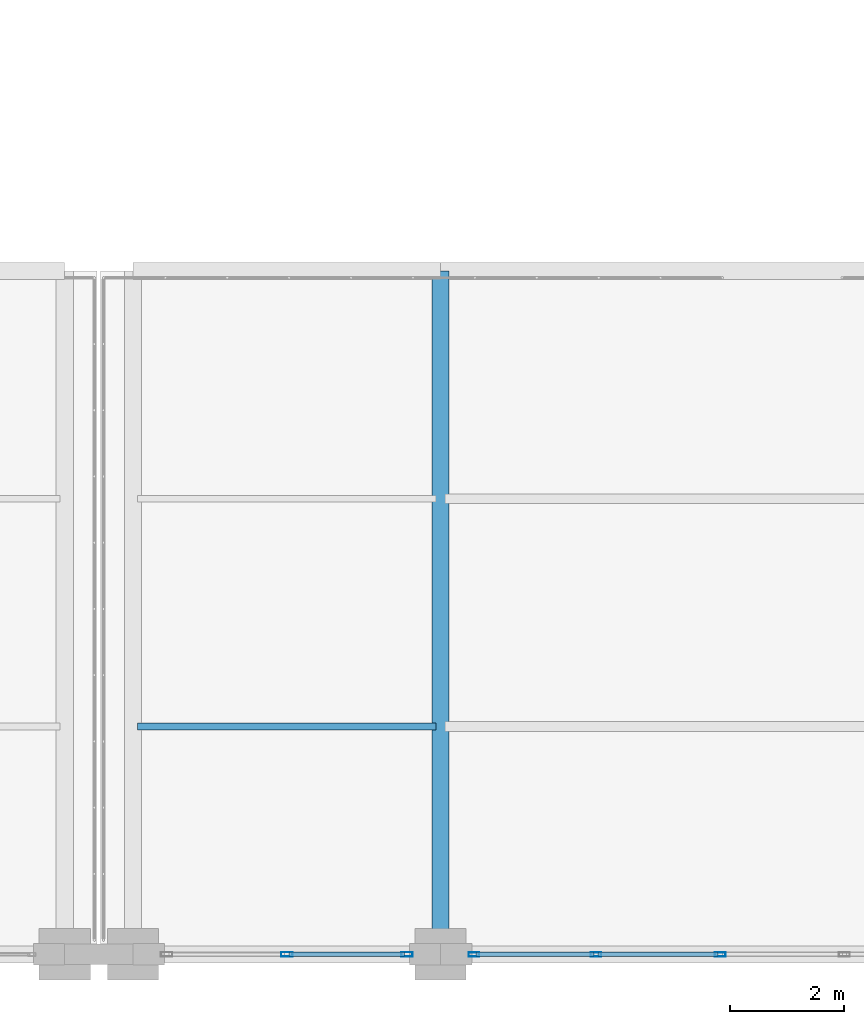
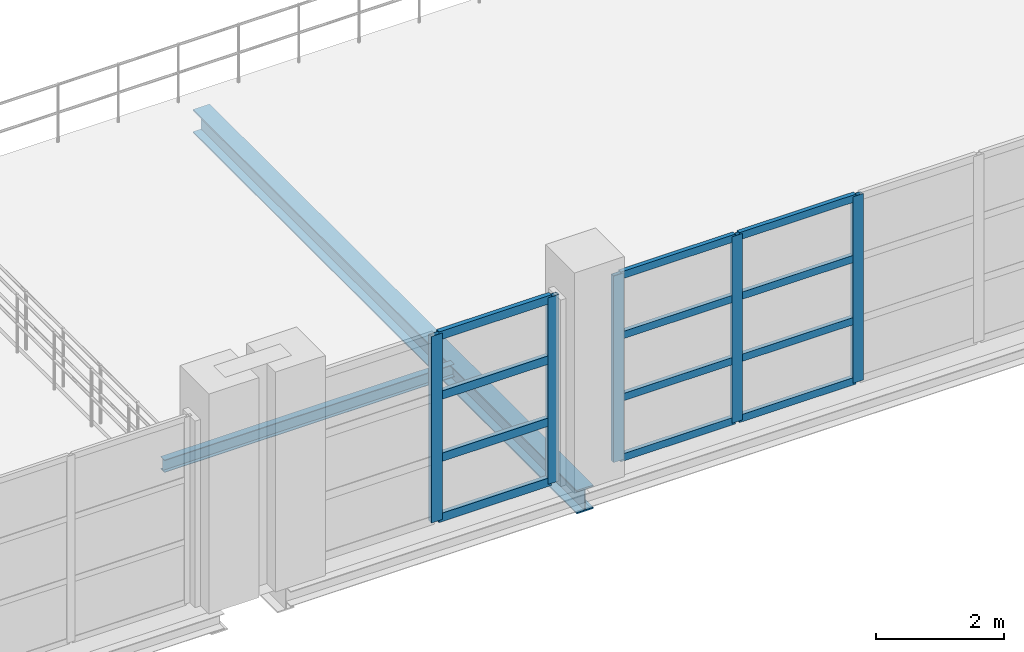
# One storey, part 62 of 158: 17 members, 2 beams, 2 elements without a shape of their own.
"""IFC4 building model written with IfcOpenShell, lengths in metres."""

from ifc_helpers import new_model, si_unit, direction, frame, origin, origin_2d, place, context, subcontext, project, spatial, hollow_rectangle, i_section, extrude, material, layer, layer_set, material_profile, profile_set, type_object, element, aggregate, save


model = new_model("IFC4")

# Units and contexts
model_context = context("Model", 3, precision=1e-05, world=origin(), true_north=direction((0.0, 1.0)))
body_context = subcontext(model_context, "Body", "Model", "MODEL_VIEW")
ifc_project = project(units=[si_unit("LENGTHUNIT", "METRE"), si_unit("AREAUNIT", "SQUARE_METRE"), si_unit("VOLUMEUNIT", "CUBIC_METRE"), si_unit("PLANEANGLEUNIT", "RADIAN"), si_unit("MASSUNIT", "GRAM", prefix="KILO")], contexts=[model_context])

# Site, building, storey
site_placement = place(None, origin())
site = spatial("IfcSite", under=ifc_project, at=site_placement, CompositionType="ELEMENT")
building_placement = place(site_placement, origin())
building = spatial("IfcBuilding", under=site, at=building_placement, Name="Zilviju Railside Exhibition Hall", CompositionType="ELEMENT")
storey_placement = place(building_placement, frame((0.0, 0.0, 4.199951171875)))
storey = spatial("IfcBuildingStorey", under=building, at=storey_placement, Name="L02", CompositionType="ELEMENT", Elevation=4.199951171875)

# Beams
ifc_material_1 = material(Name="Steel S355J2", Category="steel")
ifc_material_profile_1 = material_profile(ifc_material_1, i_section(OverallWidth=0.300048828125, OverallDepth=0.449951171875, WebThickness=0.013916015625, FlangeThickness=0.02587890625, at=origin_2d()), Name="HEB 450")
ifc_profile_set_1 = profile_set([ifc_material_profile_1], Name="Steel S355J2")
beam_type_1 = type_object("IfcBeamType", Name="BM-HEB450", PredefinedType="BEAM", material=ifc_profile_set_1)
beam_1_placement = place(storey_placement, frame((132.0, 0.0, -0.554931640625), z_axis=(0.0, 1.0, 0.0), x_axis=(-1.0, 0.0, 0.0)))
element("IfcBeam", 1, at=beam_1_placement, inside=storey, type_object=beam_type_1, Name="Transverse Girder L02 X=132.0 (0.0..12.0)", PredefinedType="BEAM", context=body_context, shape_type="SweptSolid", body=[
    extrude(i_section(OverallWidth=0.300048828125, OverallDepth=0.449951171875, WebThickness=0.013916015625, FlangeThickness=0.02587890625, at=origin_2d()), origin(), (0.0, 0.0, 1.0), 12.0),
])
ifc_material_profile_2 = material_profile(ifc_material_1, i_section(OverallWidth=0.1201171875, OverallDepth=0.239990234375, WebThickness=0.006103515625, FlangeThickness=0.009765625, at=origin_2d()), Name="IPE 240")
ifc_profile_set_2 = profile_set([ifc_material_profile_2], Name="Steel S355J2")
beam_type_2 = type_object("IfcBeamType", Name="BM-IPE240", PredefinedType="JOIST", material=ifc_profile_set_2)
beam_2_placement = place(storey_placement, frame((126.679931640625, 4.0, -0.449951171875), z_axis=(1.0, 0.0, 0.0), x_axis=(0.0, 1.0, 0.0)))
element("IfcBeam", 2, at=beam_2_placement, inside=storey, type_object=beam_type_2, Name="Composite Floor Joist L02 Y=4.00 (126.6..132.0)", PredefinedType="JOIST", context=body_context, shape_type="SweptSolid", body=[
    extrude(i_section(OverallWidth=0.1201171875, OverallDepth=0.239990234375, WebThickness=0.006103515625, FlangeThickness=0.009765625, at=origin_2d()), origin(), (0.0, 0.0, 1.0), 5.239990234375),
])

# Curtain wall, members
ifc_material_2 = material(Name="Thermally broken aluminium-steel triple-glazed curtain wall", Category="steel")
ifc_layer_1 = layer(ifc_material_2, 0.179931640625)
ifc_layer_set_1 = layer_set([ifc_layer_1], Name="Thermally broken aluminium-steel triple-glazed curtain wall")
curtain_wall_type_1 = type_object("IfcCurtainWallType", Name="CW-BAY-11", PredefinedType="USERDEFINED", material=ifc_layer_set_1)
curtain_wall_1_placement = place(storey_placement, origin())
curtain_wall_1 = element("IfcCurtainWall", 3, at=curtain_wall_1_placement, inside=storey, type_object=curtain_wall_type_1, Name="South Hall Facade Curtain Wall L02 (132..144)", ObjectType="GLAZED CURTAIN WALL", PredefinedType="USERDEFINED")
ifc_material_3 = material(Name="Thermally broken anodized aluminium mullion", Category="aluminium")
ifc_material_profile_3 = material_profile(ifc_material_3, hollow_rectangle(XDim=0.074951171875, YDim=0.18994140625, WallThickness=0.0048828125, at=origin_2d()), Name="MULLION 190x75x5")
ifc_profile_set_3 = profile_set([ifc_material_profile_3], Name="Thermally broken anodized aluminium mullion")
member_type_1 = type_object("IfcMemberType", Name="CWM-75x190", PredefinedType="MULLION", material=ifc_profile_set_3)
member_1_placement = place(storey_placement, frame((136.909912109375, 0.0, 0.0), z_axis=(0.0, 0.0, 1.0), x_axis=(0.0, -1.0, 0.0)))
member_1 = element("IfcMember", 4, at=member_1_placement, type_object=member_type_1, Name="CW-11 mullion 4", PredefinedType="MULLION", context=body_context, shape_type="SweptSolid", body=[
    extrude(hollow_rectangle(XDim=0.074951171875, YDim=0.18994140625, WallThickness=0.0048828125, at=origin_2d()), origin(), (0.0, 0.0, 1.0), 3.56005859375),
])
member_2_placement = place(storey_placement, frame((134.72998046875, 0.0, 0.0), z_axis=(0.0, 0.0, 1.0), x_axis=(0.0, -1.0, 0.0)))
member_2 = element("IfcMember", 5, at=member_2_placement, type_object=member_type_1, Name="CW-11 mullion 5", PredefinedType="MULLION", context=body_context, shape_type="SweptSolid", body=[
    extrude(hollow_rectangle(XDim=0.074951171875, YDim=0.18994140625, WallThickness=0.0048828125, at=origin_2d()), origin(), (0.0, 0.0, 1.0), 3.56005859375),
])
member_3_placement = place(storey_placement, frame((132.58740234375, 0.0, 0.0), z_axis=(0.0, 0.0, 1.0), x_axis=(0.0, -1.0, 0.0)))
member_3 = element("IfcMember", 6, at=member_3_placement, type_object=member_type_1, Name="CW-11 mullion 6", PredefinedType="MULLION", context=body_context, shape_type="SweptSolid", body=[
    extrude(hollow_rectangle(XDim=0.074951171875, YDim=0.18994140625, WallThickness=0.0048828125, at=origin_2d()), origin(), (0.0, 0.0, 1.0), 3.56005859375),
])

ifc_layer_2 = layer(ifc_material_2, 0.179931640625)
ifc_layer_set_2 = layer_set([ifc_layer_2], Name="Thermally broken aluminium-steel triple-glazed curtain wall")
curtain_wall_type_2 = type_object("IfcCurtainWallType", Name="CW-BAY-10", PredefinedType="USERDEFINED", material=ifc_layer_set_2)
curtain_wall_2_placement = place(storey_placement, origin())
curtain_wall_2 = element("IfcCurtainWall", 7, at=curtain_wall_2_placement, inside=storey, type_object=curtain_wall_type_2, Name="South Hall Facade Curtain Wall L02 (127..132)", ObjectType="GLAZED CURTAIN WALL", PredefinedType="USERDEFINED")
ifc_material_profile_4 = material_profile(ifc_material_3, hollow_rectangle(XDim=0.080078125, YDim=0.199951171875, WallThickness=0.0048828125, at=origin_2d()), Name="MULLION 200x80x5")
ifc_profile_set_4 = profile_set([ifc_material_profile_4], Name="Thermally broken anodized aluminium mullion")
member_type_2 = type_object("IfcMemberType", Name="CWM-80x200", PredefinedType="MULLION", material=ifc_profile_set_4)
member_4_placement = place(storey_placement, frame((131.409912109375, 0.0, 0.0), z_axis=(0.0, 0.0, 1.0), x_axis=(0.0, -1.0, 0.0)))
member_4 = element("IfcMember", 8, at=member_4_placement, type_object=member_type_2, Name="CW-10 mullion 1", PredefinedType="MULLION", context=body_context, shape_type="SweptSolid", body=[
    extrude(hollow_rectangle(XDim=0.080078125, YDim=0.199951171875, WallThickness=0.0048828125, at=origin_2d()), origin(), (0.0, 0.0, 1.0), 3.56005859375),
])
member_5_placement = place(storey_placement, frame((129.300048828125, 0.0, 0.0), z_axis=(0.0, 0.0, 1.0), x_axis=(0.0, -1.0, 0.0)))
member_5 = element("IfcMember", 9, at=member_5_placement, type_object=member_type_2, Name="CW-10 mullion 2", PredefinedType="MULLION", context=body_context, shape_type="SweptSolid", body=[
    extrude(hollow_rectangle(XDim=0.080078125, YDim=0.199951171875, WallThickness=0.0048828125, at=origin_2d()), origin(), (0.0, 0.0, 1.0), 3.56005859375),
])

# Member
ifc_material_4 = material(Name="Thermally broken anodized aluminium transom", Category="aluminium")
ifc_material_profile_5 = material_profile(ifc_material_4, hollow_rectangle(XDim=0.074951171875, YDim=0.139892578125, WallThickness=0.0048828125, at=origin_2d()), Name="TRANSOM 140x75x5")
ifc_profile_set_5 = profile_set([ifc_material_profile_5], Name="Thermally broken anodized aluminium transom")
member_type_3 = type_object("IfcMemberType", Name="CWT-75x140", PredefinedType="USERDEFINED", material=ifc_profile_set_5)
member_6_placement = place(storey_placement, frame((136.87255859375, 0.0, 0.03759765625), z_axis=(-1.0, 0.0, 0.0), x_axis=(0.0, -1.0, 0.0)))
member_6 = element("IfcMember", 10, at=member_6_placement, type_object=member_type_3, Name="CW-11 transom 4.1", ObjectType="TRANSOM", PredefinedType="USERDEFINED", context=body_context, shape_type="SweptSolid", body=[
    extrude(hollow_rectangle(XDim=0.074951171875, YDim=0.139892578125, WallThickness=0.0048828125, at=origin_2d()), origin(), (0.0, 0.0, 1.0), 2.10498046875),
])

member_7_placement = place(storey_placement, frame((136.87255859375, 0.0, 1.18701171875), z_axis=(-1.0, 0.0, 0.0), x_axis=(0.0, -1.0, 0.0)))
member_7 = element("IfcMember", 11, at=member_7_placement, type_object=member_type_3, Name="CW-11 transom 4.2", ObjectType="TRANSOM", PredefinedType="USERDEFINED", context=body_context, shape_type="SweptSolid", body=[
    extrude(hollow_rectangle(XDim=0.074951171875, YDim=0.139892578125, WallThickness=0.0048828125, at=origin_2d()), origin(), (0.0, 0.0, 1.0), 2.10498046875),
])

member_8_placement = place(storey_placement, frame((136.87255859375, 0.0, 2.373046875), z_axis=(-1.0, 0.0, 0.0), x_axis=(0.0, -1.0, 0.0)))
member_8 = element("IfcMember", 12, at=member_8_placement, type_object=member_type_3, Name="CW-11 transom 4.3", ObjectType="TRANSOM", PredefinedType="USERDEFINED", context=body_context, shape_type="SweptSolid", body=[
    extrude(hollow_rectangle(XDim=0.074951171875, YDim=0.139892578125, WallThickness=0.0048828125, at=origin_2d()), origin(), (0.0, 0.0, 1.0), 2.10498046875),
])

member_9_placement = place(storey_placement, frame((136.87255859375, 0.0, 3.5224609375), z_axis=(-1.0, 0.0, 0.0), x_axis=(0.0, -1.0, 0.0)))
member_9 = element("IfcMember", 13, at=member_9_placement, type_object=member_type_3, Name="CW-11 transom 4.4", ObjectType="TRANSOM", PredefinedType="USERDEFINED", context=body_context, shape_type="SweptSolid", body=[
    extrude(hollow_rectangle(XDim=0.074951171875, YDim=0.139892578125, WallThickness=0.0048828125, at=origin_2d()), origin(), (0.0, 0.0, 1.0), 2.10498046875),
])

member_10_placement = place(storey_placement, frame((134.6923828125, 0.0, 0.03759765625), z_axis=(-1.0, 0.0, 0.0), x_axis=(0.0, -1.0, 0.0)))
member_10 = element("IfcMember", 14, at=member_10_placement, type_object=member_type_3, Name="CW-11 transom 5.1", ObjectType="TRANSOM", PredefinedType="USERDEFINED", context=body_context, shape_type="SweptSolid", body=[
    extrude(hollow_rectangle(XDim=0.074951171875, YDim=0.139892578125, WallThickness=0.0048828125, at=origin_2d()), origin(), (0.0, 0.0, 1.0), 2.0673828125),
])

member_11_placement = place(storey_placement, frame((134.6923828125, 0.0, 1.18701171875), z_axis=(-1.0, 0.0, 0.0), x_axis=(0.0, -1.0, 0.0)))
member_11 = element("IfcMember", 15, at=member_11_placement, type_object=member_type_3, Name="CW-11 transom 5.2", ObjectType="TRANSOM", PredefinedType="USERDEFINED", context=body_context, shape_type="SweptSolid", body=[
    extrude(hollow_rectangle(XDim=0.074951171875, YDim=0.139892578125, WallThickness=0.0048828125, at=origin_2d()), origin(), (0.0, 0.0, 1.0), 2.0673828125),
])

member_12_placement = place(storey_placement, frame((134.6923828125, 0.0, 2.373046875), z_axis=(-1.0, 0.0, 0.0), x_axis=(0.0, -1.0, 0.0)))
member_12 = element("IfcMember", 16, at=member_12_placement, type_object=member_type_3, Name="CW-11 transom 5.3", ObjectType="TRANSOM", PredefinedType="USERDEFINED", context=body_context, shape_type="SweptSolid", body=[
    extrude(hollow_rectangle(XDim=0.074951171875, YDim=0.139892578125, WallThickness=0.0048828125, at=origin_2d()), origin(), (0.0, 0.0, 1.0), 2.0673828125),
])

member_13_placement = place(storey_placement, frame((134.6923828125, 0.0, 3.5224609375), z_axis=(-1.0, 0.0, 0.0), x_axis=(0.0, -1.0, 0.0)))
member_13 = element("IfcMember", 17, at=member_13_placement, type_object=member_type_3, Name="CW-11 transom 5.4", ObjectType="TRANSOM", PredefinedType="USERDEFINED", context=body_context, shape_type="SweptSolid", body=[
    extrude(hollow_rectangle(XDim=0.074951171875, YDim=0.139892578125, WallThickness=0.0048828125, at=origin_2d()), origin(), (0.0, 0.0, 1.0), 2.0673828125),
])

aggregate(curtain_wall_1, [member_1, member_2, member_3, member_6, member_7, member_8, member_9, member_10, member_11, member_12, member_13])

ifc_material_profile_6 = material_profile(ifc_material_4, hollow_rectangle(XDim=0.080078125, YDim=0.159912109375, WallThickness=0.0048828125, at=origin_2d()), Name="TRANSOM 160x80x5")
ifc_profile_set_6 = profile_set([ifc_material_profile_6], Name="Thermally broken anodized aluminium transom")
member_type_4 = type_object("IfcMemberType", Name="CWT-80x160", PredefinedType="USERDEFINED", material=ifc_profile_set_6)
member_14_placement = place(storey_placement, frame((131.3701171875, 0.0, 0.0400390625), z_axis=(-1.0, 0.0, 0.0), x_axis=(0.0, -1.0, 0.0)))
member_14 = element("IfcMember", 18, at=member_14_placement, type_object=member_type_4, Name="CW-10 transom 1.1", ObjectType="TRANSOM", PredefinedType="USERDEFINED", context=body_context, shape_type="SweptSolid", body=[
    extrude(hollow_rectangle(XDim=0.080078125, YDim=0.159912109375, WallThickness=0.0048828125, at=origin_2d()), origin(), (0.0, 0.0, 1.0), 2.030029296875),
])

member_15_placement = place(storey_placement, frame((131.3701171875, 0.0, 1.18701171875), z_axis=(-1.0, 0.0, 0.0), x_axis=(0.0, -1.0, 0.0)))
member_15 = element("IfcMember", 19, at=member_15_placement, type_object=member_type_4, Name="CW-10 transom 1.2", ObjectType="TRANSOM", PredefinedType="USERDEFINED", context=body_context, shape_type="SweptSolid", body=[
    extrude(hollow_rectangle(XDim=0.080078125, YDim=0.159912109375, WallThickness=0.0048828125, at=origin_2d()), origin(), (0.0, 0.0, 1.0), 2.030029296875),
])

member_16_placement = place(storey_placement, frame((131.3701171875, 0.0, 2.373046875), z_axis=(-1.0, 0.0, 0.0), x_axis=(0.0, -1.0, 0.0)))
member_16 = element("IfcMember", 20, at=member_16_placement, type_object=member_type_4, Name="CW-10 transom 1.3", ObjectType="TRANSOM", PredefinedType="USERDEFINED", context=body_context, shape_type="SweptSolid", body=[
    extrude(hollow_rectangle(XDim=0.080078125, YDim=0.159912109375, WallThickness=0.0048828125, at=origin_2d()), origin(), (0.0, 0.0, 1.0), 2.030029296875),
])

member_17_placement = place(storey_placement, frame((131.3701171875, 0.0, 3.52001953125), z_axis=(-1.0, 0.0, 0.0), x_axis=(0.0, -1.0, 0.0)))
member_17 = element("IfcMember", 21, at=member_17_placement, type_object=member_type_4, Name="CW-10 transom 1.4", ObjectType="TRANSOM", PredefinedType="USERDEFINED", context=body_context, shape_type="SweptSolid", body=[
    extrude(hollow_rectangle(XDim=0.080078125, YDim=0.159912109375, WallThickness=0.0048828125, at=origin_2d()), origin(), (0.0, 0.0, 1.0), 2.030029296875),
])

aggregate(curtain_wall_2, [member_4, member_5, member_14, member_15, member_16, member_17])

save(model, "model.ifc")
